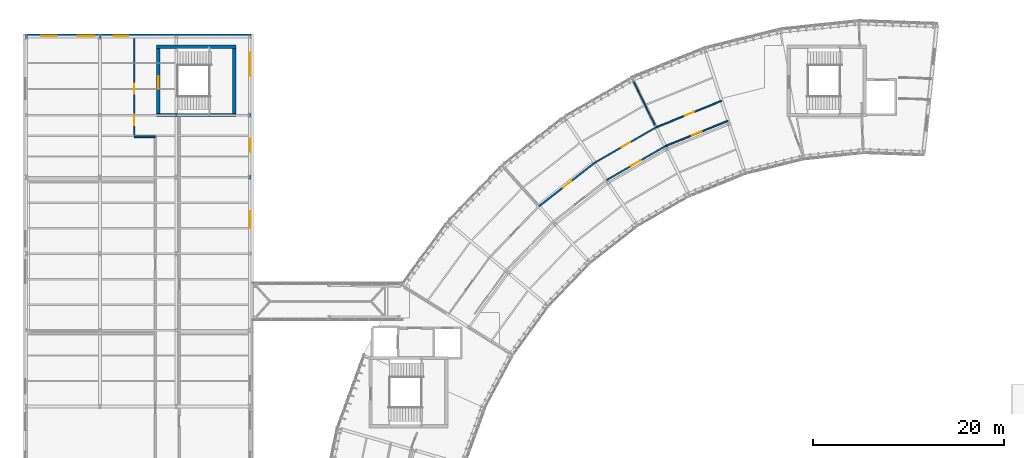
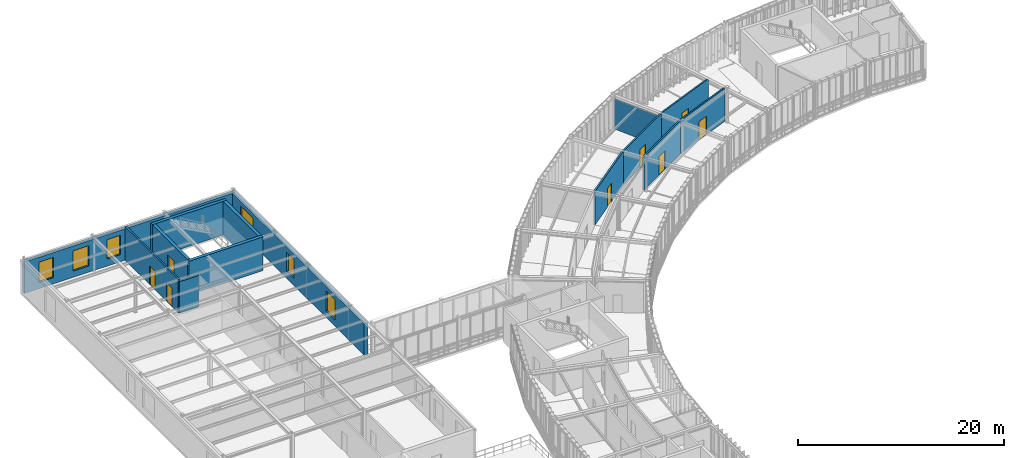
# One storey, part 41 of 52: 14 walls, 8 doors, 6 windows, 14 openings.
"""IFC4 building model written with IfcOpenShell, lengths in metres."""

from ifc_helpers import new_model, si_unit, direction, frame, frame_2d, origin, place, context, subcontext, project, spatial, rectangle, extrude, material, layer, layer_set, type_object, element, fill, save


model = new_model("IFC4")

# Units and contexts
model_context = context("Model", 3, precision=1e-05, world=origin(), true_north=direction((0.0, 1.0)))
body_context = subcontext(model_context, "Body", "Model", "MODEL_VIEW")
ifc_project = project(units=[si_unit("LENGTHUNIT", "METRE"), si_unit("AREAUNIT", "SQUARE_METRE"), si_unit("VOLUMEUNIT", "CUBIC_METRE"), si_unit("PLANEANGLEUNIT", "RADIAN"), si_unit("MASSUNIT", "GRAM", prefix="KILO"), si_unit("THERMODYNAMICTEMPERATUREUNIT", "KELVIN"), si_unit("POWERUNIT", "WATT")], contexts=[model_context])

# Site, building, storey
site_placement = place(None, origin())
site = spatial("IfcSite", under=ifc_project, at=site_placement, CompositionType="ELEMENT")
building_placement = place(site_placement, origin())
building = spatial("IfcBuilding", under=site, at=building_placement, Name="Solvatero Civic Police Headquarters", CompositionType="ELEMENT")
storey_placement = place(building_placement, frame((0.0, 0.0, 13.5)))
storey = spatial("IfcBuildingStorey", under=building, at=storey_placement, Name="L03", CompositionType="ELEMENT", Elevation=13.5)

# Wall, openings, windows
ifc_material_1 = material(Name="Cream Limestone Ashlar", Category="masonry")
ifc_layer_1 = layer(ifc_material_1, 0.419921875)
ifc_layer_set_1 = layer_set([ifc_layer_1], Name="Cream Limestone Ashlar")
wall_type_1 = type_object("IfcWallType", Name="WL-EXT-LIME-420", PredefinedType="SOLIDWALL", material=ifc_layer_set_1)
wall_1_placement = place(storey_placement, frame((28.280029296875, 57.5, 0.0), z_axis=(0.0, 0.0, 1.0), x_axis=(0.0, 1.0, 0.0)))
wall_1 = element("IfcWall", 1, at=wall_1_placement, inside=storey, type_object=wall_type_1, Name="Exterior Wall WLE-L03-V6-EB", PredefinedType="SOLIDWALL", context=body_context, shape_type="SweptSolid", body=[
    extrude(rectangle(XDim=26.0, YDim=0.419921875, at=frame_2d((13.0, 0.0))), origin(), (0.0, 0.0, 1.0), 3.719970703125),
])
opening_1_placement = place(wall_1_placement, frame((5.64990234375, 0.0, 0.739990234375)))
opening_1 = element("IfcOpeningElement", 2, at=opening_1_placement, cuts=wall_1, Name="Opening W-05", PredefinedType="OPENING", context=body_context, shape_type="SweptSolid", body=[
    extrude(rectangle(XDim=1.800048828125, YDim=2.39990234375, at=frame_2d((0.89990234375, 1.199951171875))), frame((0.0, 0.219970703125, 0.0), z_axis=(0.0, -1.0, 0.0), x_axis=(1.0, 0.0, 0.0)), (0.0, 0.0, 1.0), 0.43994140625),
])
opening_2_placement = place(wall_1_placement, frame((13.64990234375, 0.0, 0.85009765625)))
opening_2 = element("IfcOpeningElement", 3, at=opening_2_placement, cuts=wall_1, Name="Opening W-02", PredefinedType="OPENING", context=body_context, shape_type="SweptSolid", body=[
    extrude(rectangle(XDim=1.39990234375, YDim=2.199951171875, at=frame_2d((0.699951171875, 1.10009765625))), frame((0.0, 0.219970703125, 0.0), z_axis=(0.0, -1.0, 0.0), x_axis=(1.0, 0.0, 0.0)), (0.0, 0.0, 1.0), 0.43994140625),
])
opening_3_placement = place(wall_1_placement, frame((21.64990234375, 0.0, 0.739990234375)))
opening_3 = element("IfcOpeningElement", 4, at=opening_3_placement, cuts=wall_1, Name="Opening W-08", PredefinedType="OPENING", context=body_context, shape_type="SweptSolid", body=[
    extrude(rectangle(XDim=2.39990234375, YDim=2.39990234375, at=frame_2d((1.199951171875, 1.199951171875))), frame((0.0, 0.219970703125, 0.0), z_axis=(0.0, -1.0, 0.0), x_axis=(1.0, 0.0, 0.0)), (0.0, 0.0, 1.0), 0.43994140625),
])
ifc_material_2 = material(Name="Anodized Bronze Aluminium", Category="aluminium")
window_type_1 = type_object("IfcWindowType", Name="WN-CL-140x220", PartitioningType="SINGLE_PANEL", PredefinedType="WINDOW", material=ifc_material_2)
window_1_placement = place(opening_2_placement, origin())
window_1 = element("IfcWindow", 5, at=window_1_placement, inside=storey, type_object=window_type_1, Name="Exterior Window 0092", OverallHeight=2.199951171875, OverallWidth=1.39990234375, PartitioningType="SINGLE_PANEL", PredefinedType="WINDOW", context=body_context, shape_type="SweptSolid", body=[
    extrude(rectangle(XDim=1.39990234375, YDim=2.199951171875, at=frame_2d((0.699951171875, 1.10009765625))), frame((0.0, 0.030029296875, 0.0), z_axis=(0.0, -1.0, 0.0), x_axis=(1.0, 0.0, 0.0)), (0.0, 0.0, 1.0), 0.06005859375),
])
fill(opening_2, window_1)
window_type_2 = type_object("IfcWindowType", Name="WN-CL-180x240", PartitioningType="SINGLE_PANEL", PredefinedType="WINDOW", material=ifc_material_2)
window_2_placement = place(opening_1_placement, origin())
window_2 = element("IfcWindow", 6, at=window_2_placement, inside=storey, type_object=window_type_2, Name="Exterior Window 0091", OverallHeight=2.39990234375, OverallWidth=1.800048828125, PartitioningType="SINGLE_PANEL", PredefinedType="WINDOW", context=body_context, shape_type="SweptSolid", body=[
    extrude(rectangle(XDim=1.800048828125, YDim=2.39990234375, at=frame_2d((0.89990234375, 1.199951171875))), frame((0.0, 0.030029296875, 0.0), z_axis=(0.0, -1.0, 0.0), x_axis=(1.0, 0.0, 0.0)), (0.0, 0.0, 1.0), 0.06005859375),
])
fill(opening_1, window_2)
window_type_3 = type_object("IfcWindowType", Name="WN-CL-240x240", PartitioningType="SINGLE_PANEL", PredefinedType="WINDOW", material=ifc_material_2)
window_3_placement = place(opening_3_placement, origin())
window_3 = element("IfcWindow", 7, at=window_3_placement, inside=storey, type_object=window_type_3, Name="Exterior Window 0093", OverallHeight=2.39990234375, OverallWidth=2.39990234375, PartitioningType="SINGLE_PANEL", PredefinedType="WINDOW", context=body_context, shape_type="SweptSolid", body=[
    extrude(rectangle(XDim=2.39990234375, YDim=2.39990234375, at=frame_2d((1.199951171875, 1.199951171875))), frame((0.0, 0.030029296875, 0.0), z_axis=(0.0, -1.0, 0.0), x_axis=(1.0, 0.0, 0.0)), (0.0, 0.0, 1.0), 0.06005859375),
])
fill(opening_3, window_3)

wall_2_placement = place(storey_placement, frame((4.719970703125, 83.2900390625, 0.0), z_axis=(0.0, 0.0, 1.0), x_axis=(1.0, 0.0, 0.0)))
wall_2 = element("IfcWall", 8, at=wall_2_placement, inside=storey, type_object=wall_type_1, Name="Exterior Wall WLE-L03-V6-N", PredefinedType="SOLIDWALL", context=body_context, shape_type="SweptSolid", body=[
    extrude(rectangle(XDim=23.56005859375, YDim=0.419921875, at=frame_2d((11.780029296875, 0.0))), origin(), (0.0, 0.0, 1.0), 3.719970703125),
])
opening_4_placement = place(wall_2_placement, frame((1.64990234375, 0.0, 0.739990234375)))
opening_4 = element("IfcOpeningElement", 9, at=opening_4_placement, cuts=wall_2, Name="Opening W-04", PredefinedType="OPENING", context=body_context, shape_type="SweptSolid", body=[
    extrude(rectangle(XDim=1.60009765625, YDim=2.39990234375, at=frame_2d((0.800048828125, 1.199951171875))), frame((0.0, 0.219970703125, 0.0), z_axis=(0.0, -1.0, 0.0), x_axis=(1.0, 0.0, 0.0)), (0.0, 0.0, 1.0), 0.43994140625),
])
opening_5_placement = place(wall_2_placement, frame((5.449951171875, 0.0, 0.739990234375)))
opening_5 = element("IfcOpeningElement", 10, at=opening_5_placement, cuts=wall_2, Name="Opening W-05", PredefinedType="OPENING", context=body_context, shape_type="SweptSolid", body=[
    extrude(rectangle(XDim=1.800048828125, YDim=2.39990234375, at=frame_2d((0.89990234375, 1.199951171875))), frame((0.0, 0.219970703125, 0.0), z_axis=(0.0, -1.0, 0.0), x_axis=(1.0, 0.0, 0.0)), (0.0, 0.0, 1.0), 0.43994140625),
])
opening_6_placement = place(wall_2_placement, frame((9.25, 0.0, 0.840087890625)))
opening_6 = element("IfcOpeningElement", 11, at=opening_6_placement, cuts=wall_2, Name="Opening W-03", PredefinedType="OPENING", context=body_context, shape_type="SweptSolid", body=[
    extrude(rectangle(XDim=1.5, YDim=2.300048828125, at=frame_2d((0.75, 1.14990234375))), frame((0.0, 0.219970703125, 0.0), z_axis=(0.0, -1.0, 0.0), x_axis=(1.0, 0.0, 0.0)), (0.0, 0.0, 1.0), 0.43994140625),
])
window_type_4 = type_object("IfcWindowType", Name="WN-CL-150x230", PartitioningType="SINGLE_PANEL", PredefinedType="WINDOW", material=ifc_material_2)
window_4_placement = place(opening_6_placement, origin())
window_4 = element("IfcWindow", 12, at=window_4_placement, inside=storey, type_object=window_type_4, Name="Exterior Window 0102", OverallHeight=2.300048828125, OverallWidth=1.5, PartitioningType="SINGLE_PANEL", PredefinedType="WINDOW", context=body_context, shape_type="SweptSolid", body=[
    extrude(rectangle(XDim=1.5, YDim=2.300048828125, at=frame_2d((0.75, 1.14990234375))), frame((0.0, 0.030029296875, 0.0), z_axis=(0.0, -1.0, 0.0), x_axis=(1.0, 0.0, 0.0)), (0.0, 0.0, 1.0), 0.06005859375),
])
fill(opening_6, window_4)
window_type_5 = type_object("IfcWindowType", Name="WN-CL-160x240", PartitioningType="SINGLE_PANEL", PredefinedType="WINDOW", material=ifc_material_2)
window_5_placement = place(opening_4_placement, origin())
window_5 = element("IfcWindow", 13, at=window_5_placement, inside=storey, type_object=window_type_5, Name="Exterior Window 0100", OverallHeight=2.39990234375, OverallWidth=1.60009765625, PartitioningType="SINGLE_PANEL", PredefinedType="WINDOW", context=body_context, shape_type="SweptSolid", body=[
    extrude(rectangle(XDim=1.60009765625, YDim=2.39990234375, at=frame_2d((0.800048828125, 1.199951171875))), frame((0.0, 0.030029296875, 0.0), z_axis=(0.0, -1.0, 0.0), x_axis=(1.0, 0.0, 0.0)), (0.0, 0.0, 1.0), 0.06005859375),
])
fill(opening_4, window_5)
window_6_placement = place(opening_5_placement, origin())
window_6 = element("IfcWindow", 14, at=window_6_placement, inside=storey, type_object=window_type_2, Name="Exterior Window 0101", OverallHeight=2.39990234375, OverallWidth=1.800048828125, PartitioningType="SINGLE_PANEL", PredefinedType="WINDOW", context=body_context, shape_type="SweptSolid", body=[
    extrude(rectangle(XDim=1.800048828125, YDim=2.39990234375, at=frame_2d((0.89990234375, 1.199951171875))), frame((0.0, 0.030029296875, 0.0), z_axis=(0.0, -1.0, 0.0), x_axis=(1.0, 0.0, 0.0)), (0.0, 0.0, 1.0), 0.06005859375),
])
fill(opening_5, window_6)

# Wall
ifc_material_3 = material(Name="Gypsum Acoustic Stud", Category="gypsum")
ifc_layer_2 = layer(ifc_material_3, 0.1201171875)
ifc_layer_set_2 = layer_set([ifc_layer_2], Name="Gypsum Acoustic Stud")
wall_type_2 = type_object("IfcWallType", Name="WL-PTN-120", PredefinedType="PARTITIONING", material=ifc_layer_set_2)
wall_3_placement = place(storey_placement, frame((70.61279296875, 73.95068359375, 0.0), z_axis=(0.0, 0.0, 1.0), x_axis=(-0.438355450259, 0.898801701839, 0.0)))
element("IfcWall", 15, at=wall_3_placement, inside=storey, type_object=wall_type_2, Name="Interior Partition WLP-L03-ARC-RAD-B04", PredefinedType="PARTITIONING", context=body_context, shape_type="SweptSolid", body=[
    extrude(rectangle(XDim=5.150146484375, YDim=0.1201171875, at=frame_2d((2.5751953125, 0.0))), origin(), (0.0, 0.0, 1.0), 3.550048828125),
])

# Wall, opening, door
ifc_layer_3 = layer(ifc_material_3, 0.14990234375)
ifc_layer_set_3 = layer_set([ifc_layer_3], Name="Gypsum Acoustic Stud")
wall_type_3 = type_object("IfcWallType", Name="WL-PTN-150", PredefinedType="PARTITIONING", material=ifc_layer_set_3)
wall_4_placement = place(storey_placement, frame((78.27099609375, 74.40869140625, 0.0), z_axis=(0.0, 0.0, 1.0), x_axis=(-0.927181218568, -0.374613117677, 0.0)))
wall_4 = element("IfcWall", 16, at=wall_4_placement, inside=storey, type_object=wall_type_3, Name="Interior Partition WLP-L03-ARC-CIN-B04", PredefinedType="PARTITIONING", context=body_context, shape_type="SweptSolid", body=[
    extrude(rectangle(XDim=7.10107421875, YDim=0.14990234375, at=frame_2d((3.550537109375, 0.0))), origin(), (0.0, 0.0, 1.0), 3.97998046875),
])
opening_7_placement = place(wall_4_placement, frame((2.98291015625, 0.0, 0.0)))
opening_7 = element("IfcOpeningElement", 17, at=opening_7_placement, cuts=wall_4, Name="Opening ID-09", PredefinedType="OPENING", context=body_context, shape_type="SweptSolid", body=[
    extrude(rectangle(XDim=1.1201171875, YDim=2.199951171875, at=frame_2d((0.56005859375, 1.10009765625))), frame((0.0, 0.0849609375, 0.0), z_axis=(0.0, -1.0, 0.0), x_axis=(1.0, 0.0, 0.0)), (0.0, 0.0, 1.0), 0.169921875),
])
ifc_material_4 = material(Name="Powder-Coated Steel", Category="steel")
door_type_1 = type_object("IfcDoorType", Name="DR-PLT-112x220", OperationType="NOTDEFINED", PredefinedType="DOOR", material=ifc_material_4)
door_1_placement = place(opening_7_placement, origin())
door_1 = element("IfcDoor", 18, at=door_1_placement, inside=storey, type_object=door_type_1, Name="Interior Door DR-L03-ARC-IN-B04", OperationType="SINGLE_SWING_LEFT", OverallHeight=2.199951171875, OverallWidth=1.1201171875, PredefinedType="DOOR", context=body_context, shape_type="SweptSolid", body=[
    extrude(rectangle(XDim=1.1201171875, YDim=2.199951171875, at=frame_2d((0.56005859375, 1.10009765625))), frame((0.0, 0.02490234375, 0.0), z_axis=(0.0, -1.0, 0.0), x_axis=(1.0, 0.0, 0.0)), (0.0, 0.0, 1.0), 0.050048828125),
])
fill(opening_7, door_1)

wall_5_placement = place(storey_placement, frame((77.59130859375, 76.501220703125, 0.0), z_axis=(0.0, 0.0, 1.0), x_axis=(-0.927187035022, -0.374598721418, 0.0)))
wall_5 = element("IfcWall", 19, at=wall_5_placement, inside=storey, type_object=wall_type_3, Name="Interior Partition WLP-L03-ARC-COUT-B04", PredefinedType="PARTITIONING", context=body_context, shape_type="SweptSolid", body=[
    extrude(rectangle(XDim=7.408203125, YDim=0.14990234375, at=frame_2d((3.7041015625, 0.0))), origin(), (0.0, 0.0, 1.0), 3.97998046875),
])
opening_8_placement = place(wall_5_placement, frame((3.111083984375, 0.0, 0.0)))
opening_8 = element("IfcOpeningElement", 20, at=opening_8_placement, cuts=wall_5, Name="Opening ID-06", PredefinedType="OPENING", context=body_context, shape_type="SweptSolid", body=[
    extrude(rectangle(XDim=1.02001953125, YDim=2.179931640625, at=frame_2d((0.510009765625, 1.08984375))), frame((0.0, 0.0849609375, 0.0), z_axis=(0.0, -1.0, 0.0), x_axis=(1.0, 0.0, 0.0)), (0.0, 0.0, 1.0), 0.169921875),
])
door_type_2 = type_object("IfcDoorType", Name="DR-LAB-102x218", OperationType="NOTDEFINED", PredefinedType="DOOR", material=ifc_material_4)
door_2_placement = place(opening_8_placement, origin())
door_2 = element("IfcDoor", 21, at=door_2_placement, inside=storey, type_object=door_type_2, Name="Interior Door DR-L03-ARC-OUT-B04", OperationType="SINGLE_SWING_RIGHT", OverallHeight=2.179931640625, OverallWidth=1.02001953125, PredefinedType="DOOR", context=body_context, shape_type="SweptSolid", body=[
    extrude(rectangle(XDim=1.02001953125, YDim=2.179931640625, at=frame_2d((0.510009765625, 1.08984375))), frame((0.0, 0.02490234375, 0.0), z_axis=(0.0, -1.0, 0.0), x_axis=(1.0, 0.0, 0.0)), (0.0, 0.0, 1.0), 0.050048828125),
])
fill(opening_8, door_2)

ifc_material_5 = material(Name="Concrete Blockwork", Category="masonry")
ifc_layer_4 = layer(ifc_material_5, 0.1650390625)
ifc_layer_set_4 = layer_set([ifc_layer_4], Name="Concrete Blockwork")
wall_type_4 = type_object("IfcWallType", Name="WL-PTN-165", PredefinedType="PARTITIONING", material=ifc_layer_set_4)
wall_6_placement = place(storey_placement, frame((71.68701171875, 71.74853515625, 0.0), z_axis=(0.0, 0.0, 1.0), x_axis=(-0.866032151687, -0.499988312107, 0.0)))
wall_6 = element("IfcWall", 22, at=wall_6_placement, inside=storey, type_object=wall_type_4, Name="Interior Partition WLP-L03-ARC-CIN-B05", PredefinedType="PARTITIONING", context=body_context, shape_type="SweptSolid", body=[
    extrude(rectangle(XDim=7.101318359375, YDim=0.1650390625, at=frame_2d((3.55078125, 0.0))), origin(), (0.0, 0.0, 1.0), 3.97998046875),
])
opening_9_placement = place(wall_6_placement, frame((2.98193359375, 0.0, 0.0)))
opening_9 = element("IfcOpeningElement", 23, at=opening_9_placement, cuts=wall_6, Name="Opening ID-10", PredefinedType="OPENING", context=body_context, shape_type="SweptSolid", body=[
    extrude(rectangle(XDim=1.14990234375, YDim=2.199951171875, at=frame_2d((0.574951171875, 1.10009765625))), frame((0.0, 0.092529296875, 0.0), z_axis=(0.0, -1.0, 0.0), x_axis=(1.0, 0.0, 0.0)), (0.0, 0.0, 1.0), 0.18505859375),
])
door_type_3 = type_object("IfcDoorType", Name="DR-COR-115x220", OperationType="NOTDEFINED", PredefinedType="DOOR", material=ifc_material_4)
door_3_placement = place(opening_9_placement, origin())
door_3 = element("IfcDoor", 24, at=door_3_placement, inside=storey, type_object=door_type_3, Name="Interior Door DR-L03-ARC-IN-B05", OperationType="SINGLE_SWING_LEFT", OverallHeight=2.199951171875, OverallWidth=1.14990234375, PredefinedType="DOOR", context=body_context, shape_type="SweptSolid", body=[
    extrude(rectangle(XDim=1.14990234375, YDim=2.199951171875, at=frame_2d((0.574951171875, 1.10009765625))), frame((0.0, 0.02490234375, 0.0), z_axis=(0.0, -1.0, 0.0), x_axis=(1.0, 0.0, 0.0)), (0.0, 0.0, 1.0), 0.050048828125),
])
fill(opening_9, door_3)

wall_7_placement = place(storey_placement, frame((70.722412109375, 73.72607421875, 0.0), z_axis=(0.0, 0.0, 1.0), x_axis=(-0.866019843608, -0.500009630384, 0.0)))
wall_7 = element("IfcWall", 25, at=wall_7_placement, inside=storey, type_object=wall_type_4, Name="Interior Partition WLP-L03-ARC-COUT-B05", PredefinedType="PARTITIONING", context=body_context, shape_type="SweptSolid", body=[
    extrude(rectangle(XDim=7.407958984375, YDim=0.1650390625, at=frame_2d((3.7041015625, 0.0))), origin(), (0.0, 0.0, 1.0), 3.97998046875),
])
opening_10_placement = place(wall_7_placement, frame((3.111083984375, 0.0, 0.0)))
opening_10 = element("IfcOpeningElement", 26, at=opening_10_placement, cuts=wall_7, Name="Opening ID-07", PredefinedType="OPENING", context=body_context, shape_type="SweptSolid", body=[
    extrude(rectangle(XDim=1.050048828125, YDim=2.199951171875, at=frame_2d((0.52490234375, 1.10009765625))), frame((0.0, 0.092529296875, 0.0), z_axis=(0.0, -1.0, 0.0), x_axis=(1.0, 0.0, 0.0)), (0.0, 0.0, 1.0), 0.18505859375),
])
door_type_4 = type_object("IfcDoorType", Name="DR-LAB-105x220", OperationType="NOTDEFINED", PredefinedType="DOOR", material=ifc_material_4)
door_4_placement = place(opening_10_placement, origin())
door_4 = element("IfcDoor", 27, at=door_4_placement, inside=storey, type_object=door_type_4, Name="Interior Door DR-L03-ARC-OUT-B05", OperationType="SINGLE_SWING_RIGHT", OverallHeight=2.199951171875, OverallWidth=1.050048828125, PredefinedType="DOOR", context=body_context, shape_type="SweptSolid", body=[
    extrude(rectangle(XDim=1.050048828125, YDim=2.199951171875, at=frame_2d((0.52490234375, 1.10009765625))), frame((0.0, 0.02490234375, 0.0), z_axis=(0.0, -1.0, 0.0), x_axis=(1.0, 0.0, 0.0)), (0.0, 0.0, 1.0), 0.050048828125),
])
fill(opening_10, door_4)

# Wall
ifc_layer_5 = layer(ifc_material_5, 0.179931640625)
ifc_layer_set_5 = layer_set([ifc_layer_5], Name="Concrete Blockwork")
wall_type_5 = type_object("IfcWallType", Name="WL-PTN-180", PredefinedType="PARTITIONING", material=ifc_layer_set_5)
wall_8_placement = place(storey_placement, frame((16.10009765625, 72.75, 0.0), z_axis=(0.0, 0.0, 1.0), x_axis=(1.0, 0.0, 0.0)))
element("IfcWall", 28, at=wall_8_placement, inside=storey, type_object=wall_type_5, Name="Interior Partition WLP-L03-C4LOB-S", PredefinedType="PARTITIONING", context=body_context, shape_type="SweptSolid", body=[
    extrude(rectangle(XDim=2.199951171875, YDim=0.179931640625, at=frame_2d((1.10009765625, 0.0))), origin(), (0.0, 0.0, 1.0), 3.719970703125),
])

# Wall, openings, doors
wall_9_placement = place(storey_placement, frame((16.10009765625, 72.75, 0.0), z_axis=(0.0, 0.0, 1.0), x_axis=(0.0, 1.0, 0.0)))
wall_9 = element("IfcWall", 29, at=wall_9_placement, inside=storey, type_object=wall_type_5, Name="Interior Partition WLP-L03-C4LOB-W", PredefinedType="PARTITIONING", context=body_context, shape_type="SweptSolid", body=[
    extrude(rectangle(XDim=10.300048828125, YDim=0.179931640625, at=frame_2d((5.14990234375, 0.0))), origin(), (0.0, 0.0, 1.0), 3.97998046875),
])
opening_11_placement = place(wall_9_placement, frame((4.5, 0.0, 0.0)))
opening_11 = element("IfcOpeningElement", 30, at=opening_11_placement, cuts=wall_9, Name="Opening ID-07", PredefinedType="OPENING", context=body_context, shape_type="SweptSolid", body=[
    extrude(rectangle(XDim=1.050048828125, YDim=2.199951171875, at=frame_2d((0.52490234375, 1.10009765625))), frame((0.0, 0.099853515625, 0.0), z_axis=(0.0, -1.0, 0.0), x_axis=(1.0, 0.0, 0.0)), (0.0, 0.0, 1.0), 0.199951171875),
])
opening_12_placement = place(wall_9_placement, frame((1.199951171875, 0.0, 0.0)))
opening_12 = element("IfcOpeningElement", 31, at=opening_12_placement, cuts=wall_9, Name="Opening ID-09", PredefinedType="OPENING", context=body_context, shape_type="SweptSolid", body=[
    extrude(rectangle(XDim=1.1201171875, YDim=2.199951171875, at=frame_2d((0.56005859375, 1.10009765625))), frame((0.0, 0.099853515625, 0.0), z_axis=(0.0, -1.0, 0.0), x_axis=(1.0, 0.0, 0.0)), (0.0, 0.0, 1.0), 0.199951171875),
])
door_5_placement = place(opening_11_placement, origin())
door_5 = element("IfcDoor", 32, at=door_5_placement, inside=storey, type_object=door_type_4, Name="Interior Door DR-L03-V6-C4W", OperationType="SINGLE_SWING_LEFT", OverallHeight=2.199951171875, OverallWidth=1.050048828125, PredefinedType="DOOR", context=body_context, shape_type="SweptSolid", body=[
    extrude(rectangle(XDim=1.050048828125, YDim=2.199951171875, at=frame_2d((0.52490234375, 1.10009765625))), frame((0.0, 0.02490234375, 0.0), z_axis=(0.0, -1.0, 0.0), x_axis=(1.0, 0.0, 0.0)), (0.0, 0.0, 1.0), 0.050048828125),
])
fill(opening_11, door_5)
door_6_placement = place(opening_12_placement, origin())
door_6 = element("IfcDoor", 33, at=door_6_placement, inside=storey, type_object=door_type_1, Name="Interior Door DR-L03-CHEMST", OperationType="SINGLE_SWING_RIGHT", OverallHeight=2.199951171875, OverallWidth=1.1201171875, PredefinedType="DOOR", context=body_context, shape_type="SweptSolid", body=[
    extrude(rectangle(XDim=1.1201171875, YDim=2.199951171875, at=frame_2d((0.56005859375, 1.10009765625))), frame((0.0, 0.02490234375, 0.0), z_axis=(0.0, -1.0, 0.0), x_axis=(1.0, 0.0, 0.0)), (0.0, 0.0, 1.0), 0.050048828125),
])
fill(opening_12, door_6)

# Wall, opening, door
wall_10_placement = place(storey_placement, frame((64.306884765625, 70.02197265625, 0.0), z_axis=(0.0, 0.0, 1.0), x_axis=(-0.787999891273, -0.615675378226, 0.0)))
wall_10 = element("IfcWall", 34, at=wall_10_placement, inside=storey, type_object=wall_type_5, Name="Interior Partition WLP-L03-ARC-COUT-B06", PredefinedType="PARTITIONING", context=body_context, shape_type="SweptSolid", body=[
    extrude(rectangle(XDim=7.408203125, YDim=0.179931640625, at=frame_2d((3.7041015625, 0.0))), origin(), (0.0, 0.0, 1.0), 3.97998046875),
])
opening_13_placement = place(wall_10_placement, frame((3.111083984375, 0.0, 0.0)))
opening_13 = element("IfcOpeningElement", 35, at=opening_13_placement, cuts=wall_10, Name="Opening ID-08", PredefinedType="OPENING", context=body_context, shape_type="SweptSolid", body=[
    extrude(rectangle(XDim=1.080078125, YDim=2.219970703125, at=frame_2d((0.5400390625, 1.10986328125))), frame((0.0, 0.099853515625, 0.0), z_axis=(0.0, -1.0, 0.0), x_axis=(1.0, 0.0, 0.0)), (0.0, 0.0, 1.0), 0.199951171875),
])
door_type_5 = type_object("IfcDoorType", Name="DR-LAB-108x222", OperationType="NOTDEFINED", PredefinedType="DOOR", material=ifc_material_4)
door_7_placement = place(opening_13_placement, origin())
door_7 = element("IfcDoor", 36, at=door_7_placement, inside=storey, type_object=door_type_5, Name="Interior Door DR-L03-ARC-OUT-B06", OperationType="SINGLE_SWING_RIGHT", OverallHeight=2.219970703125, OverallWidth=1.080078125, PredefinedType="DOOR", context=body_context, shape_type="SweptSolid", body=[
    extrude(rectangle(XDim=1.080078125, YDim=2.219970703125, at=frame_2d((0.5400390625, 1.10986328125))), frame((0.0, 0.02490234375, 0.0), z_axis=(0.0, -1.0, 0.0), x_axis=(1.0, 0.0, 0.0)), (0.0, 0.0, 1.0), 0.050048828125),
])
fill(opening_13, door_7)

# Walls
ifc_material_6 = material(Name="Concrete C40/50", Category="concrete")
ifc_layer_6 = layer(ifc_material_6, 0.35009765625)
ifc_layer_set_6 = layer_set([ifc_layer_6], Name="Concrete C40/50")
wall_type_6 = type_object("IfcWallType", Name="WL-SHR-350", PredefinedType="SHEAR", material=ifc_layer_set_6)
for number, where, z_axis, x_axis, name in (
    (37, (18.449951171875, 75.02490234375, 0.0), (0.0, 0.0, 1.0), (1.0, 0.0, 0.0), "Core C4 Shear Wall S L03"),
    (38, (18.449951171875, 82.175048828125, 0.0), (0.0, 0.0, 1.0), (1.0, 0.0, 0.0), "Core C4 Shear Wall N L03"),
):
    element("IfcWall", number, at=place(storey_placement, frame(where, z_axis=z_axis, x_axis=x_axis)), inside=storey, type_object=wall_type_6, Name=name, PredefinedType="SHEAR", context=body_context, shape_type="SweptSolid", body=[
        extrude(rectangle(XDim=8.300048828125, YDim=0.35009765625, at=frame_2d((4.14990234375, 0.0))), origin(), (0.0, 0.0, 1.0), 4.0),
    ])

# Wall, opening, door
wall_11_placement = place(storey_placement, frame((18.625, 75.199951171875, 0.0), z_axis=(0.0, 0.0, 1.0), x_axis=(0.0, 1.0, 0.0)))
wall_11 = element("IfcWall", 39, at=wall_11_placement, inside=storey, type_object=wall_type_6, Name="Core C4 Shear Wall W L03", PredefinedType="SHEAR", context=body_context, shape_type="SweptSolid", body=[
    extrude(rectangle(XDim=6.800048828125, YDim=0.35009765625, at=frame_2d((3.39990234375, 0.0))), origin(), (0.0, 0.0, 1.0), 4.0),
])
opening_14_placement = place(wall_11_placement, frame((2.60009765625, 0.0, 0.0)))
opening_14 = element("IfcOpeningElement", 40, at=opening_14_placement, cuts=wall_11, Name="Opening FD-01", PredefinedType="OPENING", context=body_context, shape_type="SweptSolid", body=[
    extrude(rectangle(XDim=1.25, YDim=2.199951171875, at=frame_2d((0.625, 1.10009765625))), frame((0.0, 0.18505859375, 0.0), z_axis=(0.0, -1.0, 0.0), x_axis=(1.0, 0.0, 0.0)), (0.0, 0.0, 1.0), 0.3701171875),
])
door_type_6 = type_object("IfcDoorType", Name="DR-STR-125x220", OperationType="NOTDEFINED", PredefinedType="DOOR", material=ifc_material_4)
door_8_placement = place(opening_14_placement, origin())
door_8 = element("IfcDoor", 41, at=door_8_placement, inside=storey, type_object=door_type_6, Name="Interior Door DR-STR-C4-L03", OperationType="SINGLE_SWING_LEFT", OverallHeight=2.199951171875, OverallWidth=1.25, PredefinedType="DOOR", context=body_context, shape_type="SweptSolid", body=[
    extrude(rectangle(XDim=1.25, YDim=2.199951171875, at=frame_2d((0.625, 1.10009765625))), frame((0.0, 0.02490234375, 0.0), z_axis=(0.0, -1.0, 0.0), x_axis=(1.0, 0.0, 0.0)), (0.0, 0.0, 1.0), 0.050048828125),
])
fill(opening_14, door_8)

# Wall
wall_12_placement = place(storey_placement, frame((26.574951171875, 75.199951171875, 0.0), z_axis=(0.0, 0.0, 1.0), x_axis=(0.0, 1.0, 0.0)))
element("IfcWall", 42, at=wall_12_placement, inside=storey, type_object=wall_type_6, Name="Core C4 Shear Wall E L03", PredefinedType="SHEAR", context=body_context, shape_type="SweptSolid", body=[
    extrude(rectangle(XDim=6.800048828125, YDim=0.35009765625, at=frame_2d((3.39990234375, 0.0))), origin(), (0.0, 0.0, 1.0), 4.0),
])

save(model, "model.ifc")
